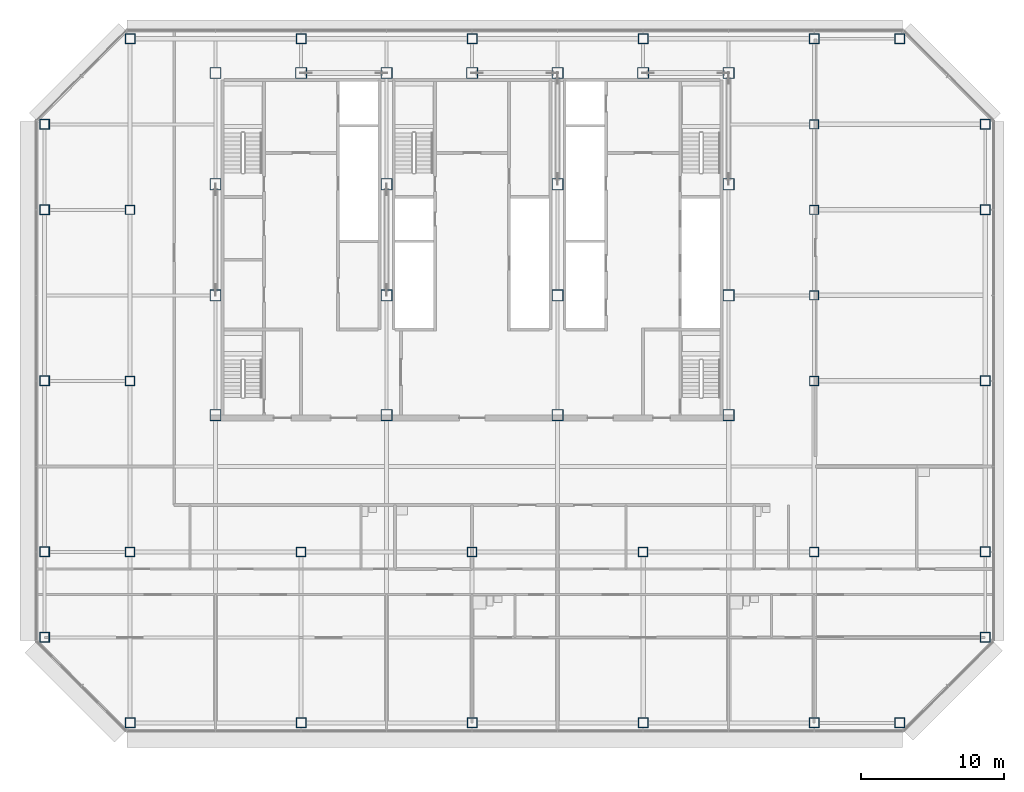
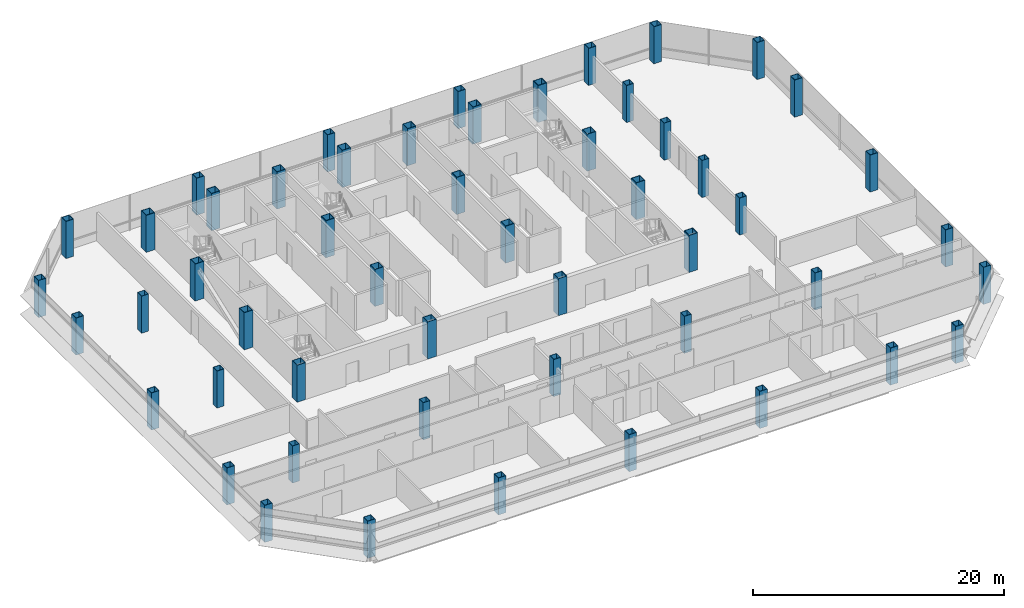
# One storey, part 1 of 24: 52 columns.
"""IFC4 building model written with IfcOpenShell, lengths in metres."""

from ifc_helpers import new_model, si_unit, direction, frame, origin, origin_2d, place, context, subcontext, project, spatial, hollow_rectangle, extrude, material, material_profile, profile_set, type_object, element, save


model = new_model("IFC4")

# Units and contexts
model_context = context("Model", 3, precision=1e-05, world=origin(), true_north=direction((0.0, 1.0)))
body_context = subcontext(model_context, "Body", "Model", "MODEL_VIEW")
ifc_project = project(units=[si_unit("LENGTHUNIT", "METRE"), si_unit("AREAUNIT", "SQUARE_METRE"), si_unit("VOLUMEUNIT", "CUBIC_METRE"), si_unit("PLANEANGLEUNIT", "RADIAN"), si_unit("MASSUNIT", "GRAM", prefix="KILO")], contexts=[model_context])

# Site, building, storey
site_placement = place(None, origin())
site = spatial("IfcSite", under=ifc_project, at=site_placement, CompositionType="ELEMENT")
building_placement = place(site_placement, origin())
building = spatial("IfcBuilding", under=site, at=building_placement, Name="Sorahane Residences", CompositionType="ELEMENT")
storey_placement = place(building_placement, frame((0.0, 0.0, 174.39990234375)))
storey = spatial("IfcBuildingStorey", under=building, at=storey_placement, Name="L40", CompositionType="ELEMENT", Elevation=174.39990234375)

# Columns
ifc_material_1 = material(Name="Steel Q355B", Category="steel")
ifc_material_profile_1 = material_profile(ifc_material_1, hollow_rectangle(XDim=0.64990234375, YDim=0.64990234375, WallThickness=0.031982421875, at=origin_2d()), Name="BOX 650x650x32")
ifc_profile_set_1 = profile_set([ifc_material_profile_1], Name="Steel Q355B")
column_type_1 = type_object("IfcColumnType", Name="Steel box column BOX 650x650x32 Q355B", PredefinedType="COLUMN", material=ifc_profile_set_1)
for number, where, z_axis, x_axis, name in (
    (1, (0.0, 12.0, 0.0), (0.0, 0.0, 1.0), (1.0, 0.0, 0.0), "Column L40 0/12"),
    (2, (0.0, 24.0, 0.0), (0.0, 0.0, 1.0), (1.0, 0.0, 0.0), "Column L40 0/24"),
    (3, (0.0, 36.0, 0.0), (0.0, 0.0, 1.0), (1.0, 0.0, 0.0), "Column L40 0/36"),
    (4, (12.0, 12.0, 0.0), (0.0, 0.0, 1.0), (1.0, 0.0, 0.0), "Column L40 12/12"),
    (5, (24.0, 12.0, 0.0), (0.0, 0.0, 1.0), (1.0, 0.0, 0.0), "Column L40 24/12"),
    (6, (36.0, 12.0, 0.0), (0.0, 0.0, 1.0), (1.0, 0.0, 0.0), "Column L40 36/12"),
    (7, (48.0, 12.0, 0.0), (0.0, 0.0, 1.0), (1.0, 0.0, 0.0), "Column L40 48/12"),
    (8, (48.0, 24.0, 0.0), (0.0, 0.0, 1.0), (1.0, 0.0, 0.0), "Column L40 48/24"),
    (9, (48.0, 30.0, 0.0), (0.0, 0.0, 1.0), (1.0, 0.0, 0.0), "Column L40 48/30"),
    (10, (48.0, 36.0, 0.0), (0.0, 0.0, 1.0), (1.0, 0.0, 0.0), "Column L40 48/36"),
    (11, (48.0, 42.0, 0.0), (0.0, 0.0, 1.0), (1.0, 0.0, 0.0), "Column L40 48/42"),
):
    element("IfcColumn", number, at=place(storey_placement, frame(where, z_axis=z_axis, x_axis=x_axis)), inside=storey, type_object=column_type_1, Name=name, PredefinedType="COLUMN", context=body_context, shape_type="SweptSolid", body=[
        extrude(hollow_rectangle(XDim=0.64990234375, YDim=0.64990234375, WallThickness=0.031982421875, at=origin_2d()), origin(), (0.0, 0.0, 1.0), 3.60009765625),
    ])
ifc_material_2 = material(Name="Steel Q355B", Category="steel")
ifc_material_profile_2 = material_profile(ifc_material_2, hollow_rectangle(XDim=0.699951171875, YDim=0.699951171875, WallThickness=0.035888671875, at=origin_2d()), Name="BOX 700x700x36")
ifc_profile_set_2 = profile_set([ifc_material_profile_2], Name="Steel Q355B")
column_type_2 = type_object("IfcColumnType", Name="Steel box column BOX 700x700x36 Q355B", PredefinedType="COLUMN", material=ifc_profile_set_2)
for number, where, z_axis, x_axis, name in (
    (12, (-6.0, 6.0, 0.0), (0.0, 0.0, 1.0), (1.0, 0.0, 0.0), "Column L40 m6/6"),
    (13, (-6.0, 12.0, 0.0), (0.0, 0.0, 1.0), (1.0, 0.0, 0.0), "Column L40 m6/12"),
    (14, (-6.0, 24.0, 0.0), (0.0, 0.0, 1.0), (1.0, 0.0, 0.0), "Column L40 m6/24"),
    (15, (-6.0, 36.0, 0.0), (0.0, 0.0, 1.0), (1.0, 0.0, 0.0), "Column L40 m6/36"),
    (16, (-6.0, 42.0, 0.0), (0.0, 0.0, 1.0), (1.0, 0.0, 0.0), "Column L40 m6/42"),
    (17, (0.0, 0.0, 0.0), (0.0, 0.0, 1.0), (1.0, 0.0, 0.0), "Column L40 0/0"),
    (18, (0.0, 48.0, 0.0), (0.0, 0.0, 1.0), (1.0, 0.0, 0.0), "Column L40 0/48"),
    (19, (12.0, 0.0, 0.0), (0.0, 0.0, 1.0), (1.0, 0.0, 0.0), "Column L40 12/0"),
    (20, (12.0, 48.0, 0.0), (0.0, 0.0, 1.0), (1.0, 0.0, 0.0), "Column L40 12/48"),
    (21, (24.0, 0.0, 0.0), (0.0, 0.0, 1.0), (1.0, 0.0, 0.0), "Column L40 24/0"),
    (22, (24.0, 48.0, 0.0), (0.0, 0.0, 1.0), (1.0, 0.0, 0.0), "Column L40 24/48"),
    (23, (36.0, 0.0, 0.0), (0.0, 0.0, 1.0), (1.0, 0.0, 0.0), "Column L40 36/0"),
    (24, (36.0, 48.0, 0.0), (0.0, 0.0, 1.0), (1.0, 0.0, 0.0), "Column L40 36/48"),
    (25, (48.0, 0.0, 0.0), (0.0, 0.0, 1.0), (1.0, 0.0, 0.0), "Column L40 48/0"),
    (26, (48.0, 48.0, 0.0), (0.0, 0.0, 1.0), (1.0, 0.0, 0.0), "Column L40 48/48"),
    (27, (54.0, 0.0, 0.0), (0.0, 0.0, 1.0), (1.0, 0.0, 0.0), "Column L40 54/0"),
    (28, (54.0, 48.0, 0.0), (0.0, 0.0, 1.0), (1.0, 0.0, 0.0), "Column L40 54/48"),
    (29, (60.0, 6.0, 0.0), (0.0, 0.0, 1.0), (1.0, 0.0, 0.0), "Column L40 60/6"),
    (30, (60.0, 12.0, 0.0), (0.0, 0.0, 1.0), (1.0, 0.0, 0.0), "Column L40 60/12"),
    (31, (60.0, 24.0, 0.0), (0.0, 0.0, 1.0), (1.0, 0.0, 0.0), "Column L40 60/24"),
    (32, (60.0, 36.0, 0.0), (0.0, 0.0, 1.0), (1.0, 0.0, 0.0), "Column L40 60/36"),
    (33, (60.0, 42.0, 0.0), (0.0, 0.0, 1.0), (1.0, 0.0, 0.0), "Column L40 60/42"),
):
    element("IfcColumn", number, at=place(storey_placement, frame(where, z_axis=z_axis, x_axis=x_axis)), inside=storey, type_object=column_type_2, Name=name, PredefinedType="COLUMN", context=body_context, shape_type="SweptSolid", body=[
        extrude(hollow_rectangle(XDim=0.699951171875, YDim=0.699951171875, WallThickness=0.035888671875, at=origin_2d()), origin(), (0.0, 0.0, 1.0), 3.60009765625),
    ])
ifc_material_3 = material(Name="Steel Q420GJ", Category="steel")
ifc_material_profile_3 = material_profile(ifc_material_3, hollow_rectangle(XDim=0.800048828125, YDim=0.800048828125, WallThickness=0.044921875, at=origin_2d()), Name="BOX 800x800x45")
ifc_profile_set_3 = profile_set([ifc_material_profile_3], Name="Steel Q420GJ")
column_type_3 = type_object("IfcColumnType", Name="Steel box column BOX 800x800x45 Q420GJ", PredefinedType="COLUMN", material=ifc_profile_set_3)
for number, where, z_axis, x_axis, name in (
    (34, (6.0, 21.60009765625, 0.0), (0.0, 0.0, 1.0), (1.0, 0.0, 0.0), "Column L40 6/21.6"),
    (35, (6.0, 30.0, 0.0), (0.0, 0.0, 1.0), (1.0, 0.0, 0.0), "Column L40 6/30"),
    (36, (6.0, 37.800048828125, 0.0), (0.0, 0.0, 1.0), (1.0, 0.0, 0.0), "Column L40 6/37.8"),
    (37, (6.0, 45.60009765625, 0.0), (0.0, 0.0, 1.0), (1.0, 0.0, 0.0), "Column L40 6/45.6"),
    (38, (12.0, 45.60009765625, 0.0), (0.0, 0.0, 1.0), (1.0, 0.0, 0.0), "Column L40 12/45.6"),
    (39, (18.0, 21.60009765625, 0.0), (0.0, 0.0, 1.0), (1.0, 0.0, 0.0), "Column L40 18/21.6"),
    (40, (18.0, 30.0, 0.0), (0.0, 0.0, 1.0), (1.0, 0.0, 0.0), "Column L40 18/30"),
    (41, (18.0, 37.800048828125, 0.0), (0.0, 0.0, 1.0), (1.0, 0.0, 0.0), "Column L40 18/37.8"),
    (42, (18.0, 45.60009765625, 0.0), (0.0, 0.0, 1.0), (1.0, 0.0, 0.0), "Column L40 18/45.6"),
    (43, (24.0, 45.60009765625, 0.0), (0.0, 0.0, 1.0), (1.0, 0.0, 0.0), "Column L40 24/45.6"),
    (44, (30.0, 21.60009765625, 0.0), (0.0, 0.0, 1.0), (1.0, 0.0, 0.0), "Column L40 30/21.6"),
    (45, (30.0, 30.0, 0.0), (0.0, 0.0, 1.0), (1.0, 0.0, 0.0), "Column L40 30/30"),
    (46, (30.0, 37.800048828125, 0.0), (0.0, 0.0, 1.0), (1.0, 0.0, 0.0), "Column L40 30/37.8"),
    (47, (30.0, 45.60009765625, 0.0), (0.0, 0.0, 1.0), (1.0, 0.0, 0.0), "Column L40 30/45.6"),
    (48, (36.0, 45.60009765625, 0.0), (0.0, 0.0, 1.0), (1.0, 0.0, 0.0), "Column L40 36/45.6"),
    (49, (42.0, 21.60009765625, 0.0), (0.0, 0.0, 1.0), (1.0, 0.0, 0.0), "Column L40 42/21.6"),
    (50, (42.0, 30.0, 0.0), (0.0, 0.0, 1.0), (1.0, 0.0, 0.0), "Column L40 42/30"),
    (51, (42.0, 37.800048828125, 0.0), (0.0, 0.0, 1.0), (1.0, 0.0, 0.0), "Column L40 42/37.8"),
    (52, (42.0, 45.60009765625, 0.0), (0.0, 0.0, 1.0), (1.0, 0.0, 0.0), "Column L40 42/45.6"),
):
    element("IfcColumn", number, at=place(storey_placement, frame(where, z_axis=z_axis, x_axis=x_axis)), inside=storey, type_object=column_type_3, Name=name, PredefinedType="COLUMN", context=body_context, shape_type="SweptSolid", body=[
        extrude(hollow_rectangle(XDim=0.800048828125, YDim=0.800048828125, WallThickness=0.044921875, at=origin_2d()), origin(), (0.0, 0.0, 1.0), 3.60009765625),
    ])

save(model, "model.ifc")
